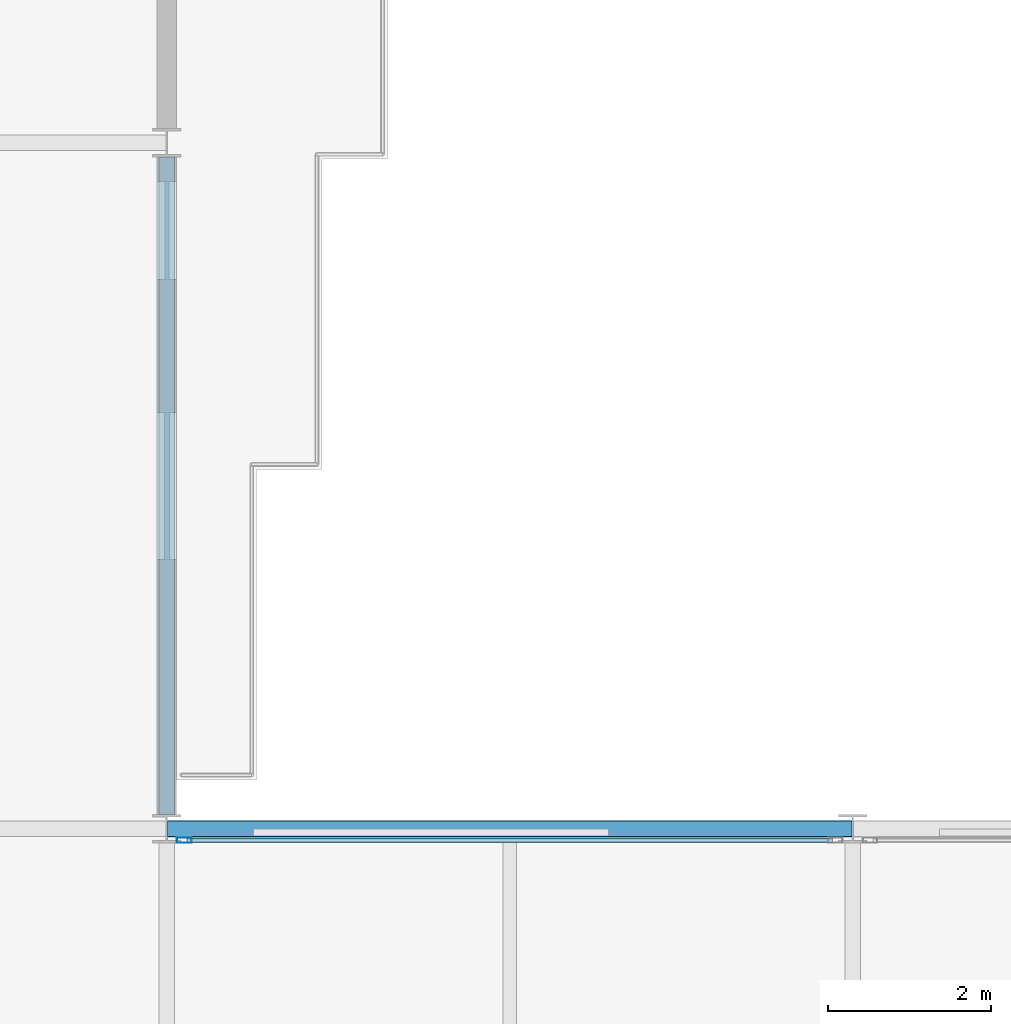
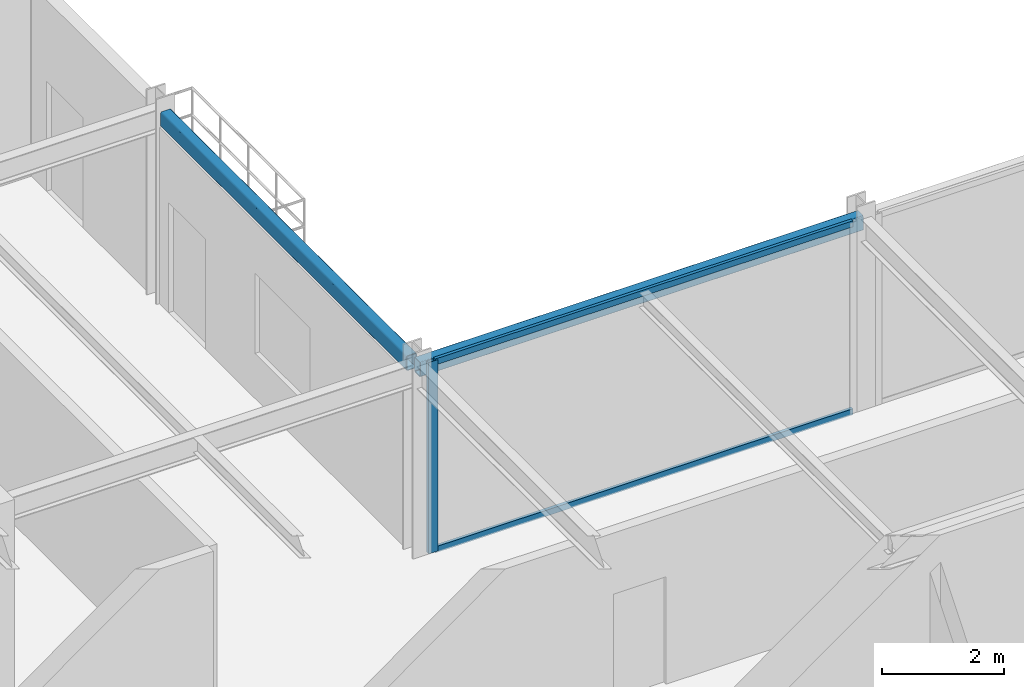
# One storey, part 12 of 25: 3 members, 2 beams, 1 element without a shape of its own.
"""IFC4 building model written with IfcOpenShell, lengths in metres."""

from ifc_helpers import new_model, si_unit, direction, frame, origin, origin_2d, place, context, subcontext, project, spatial, hollow_rectangle, extrude, material, layer, layer_set, material_profile, profile_set, type_object, element, aggregate, save


model = new_model("IFC4")

# Units and contexts
model_context = context("Model", 3, precision=1e-05, world=origin(), true_north=direction((0.0, 1.0)))
body_context = subcontext(model_context, "Body", "Model", "MODEL_VIEW")
ifc_project = project(units=[si_unit("LENGTHUNIT", "METRE"), si_unit("AREAUNIT", "SQUARE_METRE"), si_unit("VOLUMEUNIT", "CUBIC_METRE"), si_unit("PLANEANGLEUNIT", "RADIAN"), si_unit("MASSUNIT", "GRAM", prefix="KILO")], contexts=[model_context])

# Site, building, storey
site_placement = place(None, origin())
site = spatial("IfcSite", under=ifc_project, at=site_placement, CompositionType="ELEMENT")
building_placement = place(site_placement, origin())
building = spatial("IfcBuilding", under=site, at=building_placement, Name="Nerrivon Quay Data Exchange", CompositionType="ELEMENT")
storey_placement = place(building_placement, frame((0.0, 0.0, 232.89990234375)))
storey = spatial("IfcBuildingStorey", under=building, at=storey_placement, Name="L55", CompositionType="ELEMENT", Elevation=232.89990234375)

# Beams
ifc_material_1 = material(Name="Steel Grade C350L0 (350 MPa)", Category="steel")
ifc_material_profile_1 = material_profile(ifc_material_1, hollow_rectangle(XDim=0.199951171875, YDim=0.300048828125, WallThickness=0.012451171875, InnerFilletRadius=0.018798828125, OuterFilletRadius=0.03125, at=origin_2d()), Name="300x200x12.5RHS")
ifc_profile_set_1 = profile_set([ifc_material_profile_1], Name="Steel Grade C350L0 (350 MPa)")
beam_type = type_object("IfcBeamType", Name="BM-SP3-300x200RHS", PredefinedType="SPANDREL", material=ifc_profile_set_1)
beam_1_placement = place(storey_placement, frame((25.2099609375, 25.199951171875, 3.675048828125), z_axis=(1.0, 0.0, 0.0), x_axis=(0.0, 1.0, 0.0)))
element("IfcBeam", 1, at=beam_1_placement, inside=storey, type_object=beam_type, Name="L55 EW Girder Y=25.2 (25.2..33.6)", PredefinedType="SPANDREL", context=body_context, shape_type="SweptSolid", body=[
    extrude(hollow_rectangle(XDim=0.199951171875, YDim=0.300048828125, WallThickness=0.012451171875, InnerFilletRadius=0.018798828125, OuterFilletRadius=0.03125, at=origin_2d()), origin(), (0.0, 0.0, 1.0), 8.380126953125),
])
beam_2_placement = place(storey_placement, frame((25.199951171875, 25.375, 3.675048828125), z_axis=(0.0, 1.0, 0.0), x_axis=(-1.0, 0.0, 0.0)))
element("IfcBeam", 2, at=beam_2_placement, inside=storey, type_object=beam_type, Name="L55 NS Girder X=25.2 (25.2..33.6)", PredefinedType="SPANDREL", context=body_context, shape_type="SweptSolid", body=[
    extrude(hollow_rectangle(XDim=0.199951171875, YDim=0.300048828125, WallThickness=0.012451171875, InnerFilletRadius=0.018798828125, OuterFilletRadius=0.03125, at=origin_2d()), origin(), (0.0, 0.0, 1.0), 8.050048828125),
])

# Curtain wall, members
ifc_material_2 = material(Name="Anodised aluminium 6063-T6", Category="aluminium")
ifc_layer = layer(ifc_material_2, 0.195068359375)
ifc_layer_set = layer_set([ifc_layer], Name="Anodised aluminium 6063-T6")
curtain_wall_type = type_object("IfcCurtainWallType", Name="CW-SYS-06", PredefinedType="NOTDEFINED", material=ifc_layer_set)
curtain_wall_placement = place(storey_placement, origin())
curtain_wall = element("IfcCurtainWall", 3, at=curtain_wall_placement, inside=storey, type_object=curtain_wall_type, Name="L55 Unitised Curtain Wall 24", PredefinedType="NOTDEFINED")
ifc_material_profile_2 = material_profile(ifc_material_2, hollow_rectangle(XDim=0.06494140625, YDim=0.179931640625, WallThickness=0.00341796875, at=origin_2d()), Name="ALU-MULL-180x65")
ifc_profile_set_2 = profile_set([ifc_material_profile_2], Name="Anodised aluminium 6063-T6")
member_type_1 = type_object("IfcMemberType", Name="CWM-180x65", PredefinedType="MULLION", material=ifc_profile_set_2)
member_1_placement = place(storey_placement, frame((25.41259765625, 25.06005859375, 0.0), z_axis=(0.0, 0.0, 1.0), x_axis=(0.0, 1.0, 0.0)))
member_1 = element("IfcMember", 4, at=member_1_placement, type_object=member_type_1, Name="CW06 mullion 1", PredefinedType="MULLION", context=body_context, shape_type="SweptSolid", body=[
    extrude(hollow_rectangle(XDim=0.06494140625, YDim=0.179931640625, WallThickness=0.00341796875, at=origin_2d()), origin(), (0.0, 0.0, 1.0), 3.8251953125),
])
ifc_material_profile_3 = material_profile(ifc_material_2, hollow_rectangle(XDim=0.06005859375, YDim=0.1201171875, WallThickness=0.003173828125, at=origin_2d()), Name="ALU-TRAN-120x60")
ifc_profile_set_3 = profile_set([ifc_material_profile_3], Name="Anodised aluminium 6063-T6")
member_type_2 = type_object("IfcMemberType", Name="CWT-120x60", PredefinedType="USERDEFINED", material=ifc_profile_set_3)
member_2_placement = place(storey_placement, frame((25.449951171875, 25.06005859375, 0.03271484375), z_axis=(1.0, 0.0, 0.0), x_axis=(0.0, 1.0, 0.0)))
member_2 = element("IfcMember", 5, at=member_2_placement, type_object=member_type_2, Name="CW06 transom 1.1", ObjectType="TRANSOM", PredefinedType="USERDEFINED", context=body_context, shape_type="SweptSolid", body=[
    extrude(hollow_rectangle(XDim=0.06005859375, YDim=0.1201171875, WallThickness=0.003173828125, at=origin_2d()), origin(), (0.0, 0.0, 1.0), 7.900146484375),
])
member_3_placement = place(storey_placement, frame((25.449951171875, 25.06005859375, 3.79248046875), z_axis=(1.0, 0.0, 0.0), x_axis=(0.0, 1.0, 0.0)))
member_3 = element("IfcMember", 6, at=member_3_placement, type_object=member_type_2, Name="CW06 transom 1.2", ObjectType="TRANSOM", PredefinedType="USERDEFINED", context=body_context, shape_type="SweptSolid", body=[
    extrude(hollow_rectangle(XDim=0.06005859375, YDim=0.1201171875, WallThickness=0.003173828125, at=origin_2d()), origin(), (0.0, 0.0, 1.0), 7.900146484375),
])
aggregate(curtain_wall, [member_1, member_2, member_3])

save(model, "model.ifc")
